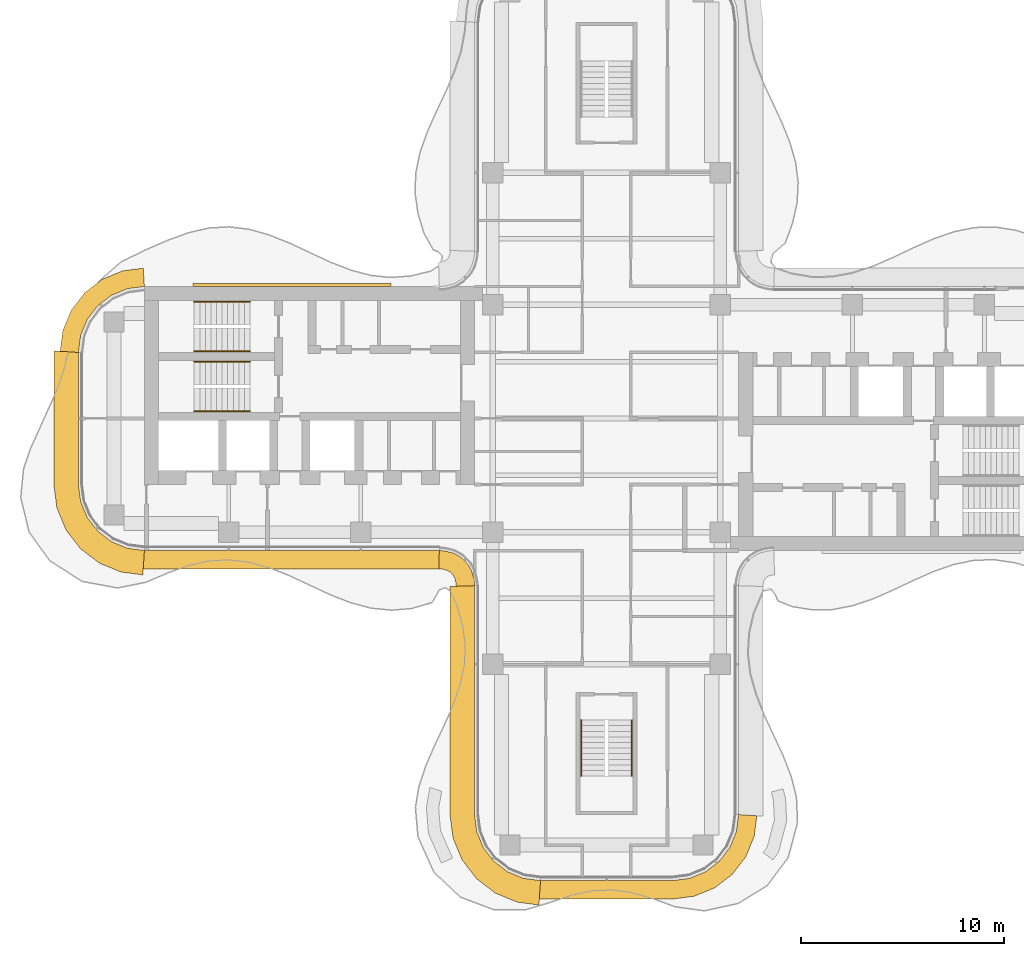
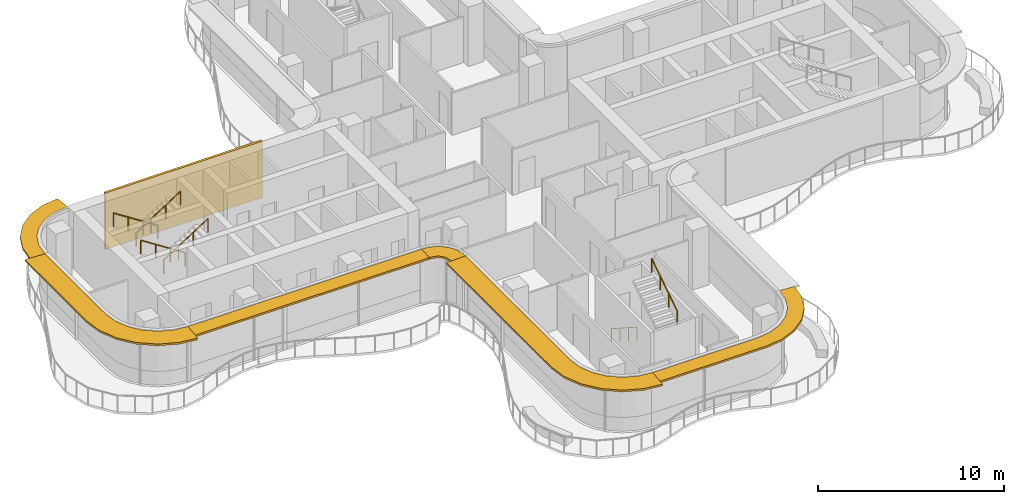
# One storey, part 16 of 17: 6 railings, 6 shading devices, 1 covering.
"""IFC4 building model written with IfcOpenShell, lengths in metres."""

from ifc_helpers import new_model, si_unit, direction, frame, origin, origin_2d, place, context, subcontext, project, spatial, polyline, circle, outline, extrude, source, transform, mapped, material, layer, layer_set, type_object, element, save


model = new_model("IFC4")

# Units and contexts
model_context = context("Model", 3, precision=1e-05, world=origin(), true_north=direction((0.0, 1.0)))
body_context = subcontext(model_context, "Body", "Model", "MODEL_VIEW")
ifc_project = project(units=[si_unit("LENGTHUNIT", "METRE"), si_unit("AREAUNIT", "SQUARE_METRE"), si_unit("VOLUMEUNIT", "CUBIC_METRE"), si_unit("PLANEANGLEUNIT", "RADIAN"), si_unit("MASSUNIT", "GRAM", prefix="KILO")], contexts=[model_context])

# Site, building, storey
site_placement = place(None, origin())
site = spatial("IfcSite", under=ifc_project, at=site_placement, CompositionType="ELEMENT")
building_placement = place(site_placement, origin())
building = spatial("IfcBuilding", under=site, at=building_placement, Name="Trellis Farm Tower", CompositionType="ELEMENT")
storey_placement = place(building_placement, frame((0.0, 0.0, 295.0)))
storey = spatial("IfcBuildingStorey", under=building, at=storey_placement, Name="L66", CompositionType="ELEMENT", Elevation=295.0)

# Railings
ifc_material_1 = material(Name="Stainless steel", Category="steel")
railing_type = type_object("IfcRailingType", Name="STAIR HANDRAIL 900", PredefinedType="HANDRAIL", material=ifc_material_1)
shared_shape_1 = source(origin(), body_context, "Body", "SweptSolid", [
    extrude(circle(Radius=0.02392578125, at=origin_2d()), frame((0.0, 0.0, 0.8759765625), z_axis=(0.0, 0.840503830235, 0.541805602924), x_axis=(-1.0, 0.0, 0.0)), (0.0, 0.0, 1.0), 3.271728515625),
    extrude(circle(Radius=0.02099609375, at=origin_2d()), origin(), (0.0, 0.0, 1.0), 0.851806640625),
    extrude(circle(Radius=0.02099609375, at=origin_2d()), frame((0.0, 0.916748046875, 0.5908203125)), (0.0, 0.0, 1.0), 0.851806640625),
    extrude(circle(Radius=0.02099609375, at=origin_2d()), frame((0.0, 1.833251953125, 1.181884765625)), (0.0, 0.0, 1.0), 0.851806640625),
    extrude(circle(Radius=0.02099609375, at=origin_2d()), frame((0.0, 2.75, 1.772705078125)), (0.0, 0.0, 1.0), 0.851806640625),
])
railing_1_placement = place(storey_placement, frame((1.25, -17.60009765625, 2.127197265625)))
element("IfcRailing", 1, at=railing_1_placement, inside=storey, type_object=railing_type, Name="Stair handrail", PredefinedType="HANDRAIL", context=body_context, shape_type="MappedRepresentation", body=[
    mapped(shared_shape_1, transform((0.0, 0.0, 0.0))),
])
shared_shape_2 = source(origin(), body_context, "Body", "SweptSolid", [
    extrude(circle(Radius=0.02392578125, at=origin_2d()), frame((0.0, 0.0, 0.8759765625), z_axis=(0.0, -0.840503830235, 0.541805602924), x_axis=(1.0, 0.0, 0.0)), (0.0, 0.0, 1.0), 3.271728515625),
    extrude(circle(Radius=0.02099609375, at=origin_2d()), origin(), (0.0, 0.0, 1.0), 0.851806640625),
    extrude(circle(Radius=0.02099609375, at=origin_2d()), frame((0.0, -0.916748046875, 0.5908203125)), (0.0, 0.0, 1.0), 0.851806640625),
    extrude(circle(Radius=0.02099609375, at=origin_2d()), frame((0.0, -1.833251953125, 1.181884765625)), (0.0, 0.0, 1.0), 0.851806640625),
    extrude(circle(Radius=0.02099609375, at=origin_2d()), frame((0.0, -2.75, 1.772705078125)), (0.0, 0.0, 1.0), 0.851806640625),
])
railing_2_placement = place(storey_placement, frame((-1.25, -14.85009765625, 0.17724609375)))
element("IfcRailing", 2, at=railing_2_placement, inside=storey, type_object=railing_type, Name="Stair handrail", PredefinedType="HANDRAIL", context=body_context, shape_type="MappedRepresentation", body=[
    mapped(shared_shape_2, transform((0.0, 0.0, 0.0))),
])
shared_shape_3 = source(origin(), body_context, "Body", "SweptSolid", [
    extrude(circle(Radius=0.02392578125, at=origin_2d()), frame((0.0, 0.0, 0.8759765625), z_axis=(0.840503830235, 0.0, 0.541805602924), x_axis=(0.0, 1.0, 0.0)), (0.0, 0.0, 1.0), 3.271728515625),
    extrude(circle(Radius=0.02099609375, at=origin_2d()), origin(), (0.0, 0.0, 1.0), 0.851806640625),
    extrude(circle(Radius=0.02099609375, at=origin_2d()), frame((0.916748046875, 0.0, 0.5908203125)), (0.0, 0.0, 1.0), 0.851806640625),
    extrude(circle(Radius=0.02099609375, at=origin_2d()), frame((1.833251953125, 0.0, 1.181884765625)), (0.0, 0.0, 1.0), 0.851806640625),
    extrude(circle(Radius=0.02099609375, at=origin_2d()), frame((2.75, 0.0, 1.772705078125)), (0.0, 0.0, 1.0), 0.851806640625),
])
for number, where, name in (
    (3, (-20.300048828125, 3.300048828125, 2.127197265625), "Stair handrail"),
    (4, (-20.300048828125, 0.35009765625, 2.127197265625), "Stair handrail"),
):
    element("IfcRailing", number, at=place(storey_placement, frame(where)), inside=storey, type_object=railing_type, Name=name, PredefinedType="HANDRAIL", context=body_context, shape_type="MappedRepresentation", body=[
        mapped(shared_shape_3, transform((0.0, 0.0, 0.0))),
    ])
shared_shape_4 = source(origin(), body_context, "Body", "SweptSolid", [
    extrude(circle(Radius=0.02392578125, at=origin_2d()), frame((0.0, 0.0, 0.8759765625), z_axis=(-0.840503830235, 0.0, 0.541805602924), x_axis=(0.0, -1.0, 0.0)), (0.0, 0.0, 1.0), 3.271728515625),
    extrude(circle(Radius=0.02099609375, at=origin_2d()), origin(), (0.0, 0.0, 1.0), 0.851806640625),
    extrude(circle(Radius=0.02099609375, at=origin_2d()), frame((-0.916748046875, 0.0, 0.5908203125)), (0.0, 0.0, 1.0), 0.851806640625),
    extrude(circle(Radius=0.02099609375, at=origin_2d()), frame((-1.833251953125, 0.0, 1.181884765625)), (0.0, 0.0, 1.0), 0.851806640625),
    extrude(circle(Radius=0.02099609375, at=origin_2d()), frame((-2.75, 0.0, 1.772705078125)), (0.0, 0.0, 1.0), 0.851806640625),
])
for number, where, name in (
    (5, (-17.550048828125, 5.75, 0.17724609375), "Stair handrail"),
    (6, (-17.550048828125, 2.800048828125, 0.17724609375), "Stair handrail"),
):
    element("IfcRailing", number, at=place(storey_placement, frame(where)), inside=storey, type_object=railing_type, Name=name, PredefinedType="HANDRAIL", context=body_context, shape_type="MappedRepresentation", body=[
        mapped(shared_shape_4, transform((0.0, 0.0, 0.0))),
    ])

# Shading devices
ifc_material_2 = material(Name="Aluminium extrusion 6063-T6", Category="aluminium")
ifc_layer_1 = layer(ifc_material_2, 0.1201171875)
ifc_layer_set_1 = layer_set([ifc_layer_1], Name="SUNSHADE BLADE 900")
shading_device_type_1 = type_object("IfcShadingDeviceType", Name="SUNSHADE BLADE 900", PredefinedType="USERDEFINED", material=ifc_layer_set_1)
shared_shape_5 = source(origin(), body_context, "Body", "SweptSolid", [
    extrude(outline(polyline([(-8.2607421875, -7.39990234375), (-8.107666015625, -7.409912109375), (-8.091552734375, -7.412109375), (-7.85595703125, -7.475341796875), (-7.697021484375, -7.567138671875), (-7.567138671875, -7.697021484375), (-7.475341796875, -7.85595703125), (-7.412109375, -8.091552734375), (-7.409912109375, -8.107666015625), (-7.39990234375, -8.2607421875), (-6.5, -8.2314453125), (-6.513916015625, -8.01953125), (-6.527587890625, -7.91552734375), (-6.63671875, -7.508544921875), (-6.846923828125, -7.144287109375), (-7.144287109375, -6.846923828125), (-7.508544921875, -6.63671875), (-7.91552734375, -6.527587890625), (-8.01953125, -6.513916015625), (-8.2314453125, -6.5), (-8.2607421875, -7.39990234375)])), origin(), (0.0, 0.0, 1.0), 0.119873046875),
])
placement = place(storey_placement, frame((0.0, 0.0, 3.5400390625)))
element("IfcShadingDevice", 7, at=placement, inside=storey, type_object=shading_device_type_1, Name="SD1 002", ObjectType="SUNSHADE", PredefinedType="USERDEFINED", context=body_context, shape_type="MappedRepresentation", body=[
    mapped(shared_shape_5, transform((0.0, 0.0, 0.0))),
])
ifc_layer_2 = layer(ifc_material_2, 0.1201171875)
ifc_layer_set_2 = layer_set([ifc_layer_2], Name="SUNSHADE BLADE 1200")
shading_device_type_2 = type_object("IfcShadingDeviceType", Name="SUNSHADE BLADE 1200", PredefinedType="USERDEFINED", material=ifc_layer_set_2)
shared_shape_6 = source(origin(), body_context, "Body", "SweptSolid", [
    extrude(outline(polyline([(-7.699951171875, -8.270751953125), (-7.699951171875, -19.57861328125), (-7.558349609375, -20.654541015625), (-7.11279296875, -21.730224609375), (-6.404052734375, -22.654052734375), (-5.480224609375, -23.36279296875), (-4.404541015625, -23.808349609375), (-3.32861328125, -23.949951171875), (-3.25, -22.75), (-4.091064453125, -22.63916015625), (-4.875, -22.314697265625), (-5.548095703125, -21.798095703125), (-6.064697265625, -21.125), (-6.38916015625, -20.341064453125), (-6.5, -19.5), (-6.5, -8.2314453125), (-7.699951171875, -8.270751953125)])), origin(), (0.0, 0.0, 1.0), 0.119873046875),
])
element("IfcShadingDevice", 8, at=placement, inside=storey, type_object=shading_device_type_2, Name="SD2 003", ObjectType="SUNSHADE", PredefinedType="USERDEFINED", context=body_context, shape_type="MappedRepresentation", body=[
    mapped(shared_shape_6, transform((0.0, 0.0, 0.0))),
])
shared_shape_7 = source(origin(), body_context, "Body", "SweptSolid", [
    extrude(outline(polyline([(-3.30908203125, -23.64990234375), (3.30908203125, -23.64990234375), (4.326171875, -23.51611328125), (5.328857421875, -23.100830078125), (6.18994140625, -22.43994140625), (6.850830078125, -21.578857421875), (7.26611328125, -20.576171875), (7.39990234375, -19.55908203125), (6.5, -19.5), (6.38916015625, -20.341064453125), (6.064697265625, -21.125), (5.548095703125, -21.798095703125), (4.875, -22.314697265625), (4.091064453125, -22.63916015625), (3.25, -22.75), (-3.25, -22.75), (-3.30908203125, -23.64990234375)])), origin(), (0.0, 0.0, 1.0), 0.119873046875),
])
element("IfcShadingDevice", 9, at=placement, inside=storey, type_object=shading_device_type_1, Name="SD1 004", ObjectType="SUNSHADE", PredefinedType="USERDEFINED", context=body_context, shape_type="MappedRepresentation", body=[
    mapped(shared_shape_7, transform((0.0, 0.0, 0.0))),
])

# Covering
ifc_material_3 = material(Name="Perforated precast screen (cobogo)", Category="concrete")
ifc_layer_3 = layer(ifc_material_3, 0.14990234375)
ifc_layer_set_3 = layer_set([ifc_layer_3], Name="COBOGO SCREEN PANEL")
covering_type = type_object("IfcCoveringType", Name="COBOGO SCREEN PANEL", PredefinedType="USERDEFINED", material=ifc_layer_set_3)
shared_shape_8 = source(origin(), body_context, "Body", "SweptSolid", [
    extrude(outline(polyline([(-10.61572265625, 6.64990234375), (-20.36572265625, 6.64990234375), (-20.36572265625, 6.5), (-10.61572265625, 6.5), (-10.61572265625, 6.64990234375)])), origin(), (0.0, 0.0, 1.0), 3.699951171875),
])
covering_placement = place(storey_placement, origin())
element("IfcCovering", 10, at=covering_placement, inside=storey, type_object=covering_type, Name="SC1 02", ObjectType="SCREEN", PredefinedType="USERDEFINED", context=body_context, shape_type="MappedRepresentation", body=[
    mapped(shared_shape_8, transform((0.0, 0.0, 0.0))),
])

# Shading devices
shared_shape_9 = source(origin(), body_context, "Body", "SweptSolid", [
    extrude(outline(polyline([(-22.80908203125, -7.39990234375), (-8.2607421875, -7.39990234375), (-8.2314453125, -6.5), (-22.75, -6.5), (-22.80908203125, -7.39990234375)])), origin(), (0.0, 0.0, 1.0), 0.119873046875),
])
element("IfcShadingDevice", 11, at=placement, inside=storey, type_object=shading_device_type_1, Name="SD1 001", ObjectType="SUNSHADE", PredefinedType="USERDEFINED", context=body_context, shape_type="MappedRepresentation", body=[
    mapped(shared_shape_9, transform((0.0, 0.0, 0.0))),
])
shared_shape_10 = source(origin(), body_context, "Body", "SweptSolid", [
    extrude(outline(polyline([(-22.80908203125, 7.39990234375), (-23.826171875, 7.26611328125), (-24.828857421875, 6.850830078125), (-25.68994140625, 6.18994140625), (-26.350830078125, 5.328857421875), (-26.76611328125, 4.326171875), (-26.89990234375, 3.30908203125), (-26.0, 3.25), (-25.88916015625, 4.091064453125), (-25.564697265625, 4.875), (-25.048095703125, 5.548095703125), (-24.375, 6.064697265625), (-23.591064453125, 6.38916015625), (-22.75, 6.5), (-22.80908203125, 7.39990234375)])), origin(), (0.0, 0.0, 1.0), 0.119873046875),
])
element("IfcShadingDevice", 12, at=placement, inside=storey, type_object=shading_device_type_1, Name="SD1 015", ObjectType="SUNSHADE", PredefinedType="USERDEFINED", context=body_context, shape_type="MappedRepresentation", body=[
    mapped(shared_shape_10, transform((0.0, 0.0, 0.0))),
])
shared_shape_11 = source(origin(), body_context, "Body", "SweptSolid", [
    extrude(outline(polyline([(-27.199951171875, 3.32861328125), (-27.199951171875, -3.32861328125), (-27.058349609375, -4.404541015625), (-26.61279296875, -5.480224609375), (-25.904052734375, -6.404052734375), (-24.980224609375, -7.11279296875), (-23.904541015625, -7.558349609375), (-22.82861328125, -7.699951171875), (-22.75, -6.5), (-23.591064453125, -6.38916015625), (-24.375, -6.064697265625), (-25.048095703125, -5.548095703125), (-25.564697265625, -4.875), (-25.88916015625, -4.091064453125), (-26.0, -3.25), (-26.0, 3.25), (-27.199951171875, 3.32861328125)])), origin(), (0.0, 0.0, 1.0), 0.119873046875),
])
element("IfcShadingDevice", 13, at=placement, inside=storey, type_object=shading_device_type_2, Name="SD2 016", ObjectType="SUNSHADE", PredefinedType="USERDEFINED", context=body_context, shape_type="MappedRepresentation", body=[
    mapped(shared_shape_11, transform((0.0, 0.0, 0.0))),
])

save(model, "model.ifc")
